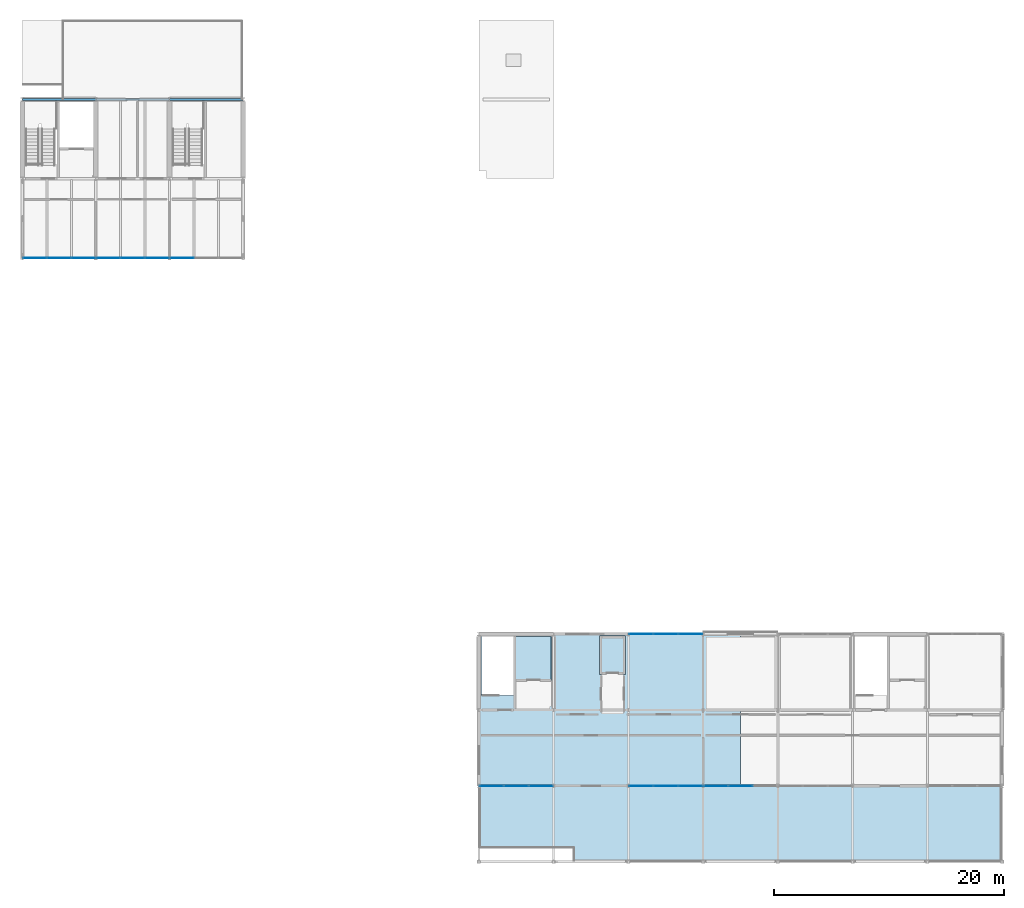
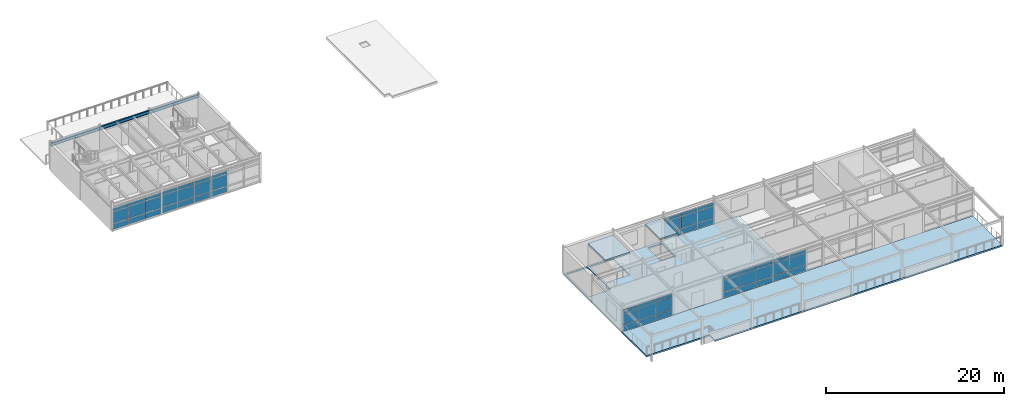
# One storey, part 11 of 20: 54 plates, 4 slabs, 3 beams, 7 elements without a shape of their own.
"""IFC4 building model written with IfcOpenShell, lengths in metres."""

from ifc_helpers import new_model, si_unit, direction, frame, origin, origin_2d, place, context, subcontext, project, spatial, polyline, rectangle, i_section, outline, extrude, material, layer, layer_set, material_profile, profile_set, type_object, element, aggregate, save


model = new_model("IFC4")

# Units and contexts
model_context = context("Model", 3, precision=1e-05, world=origin(), true_north=direction((0.0, 1.0)))
body_context = subcontext(model_context, "Body", "Model", "MODEL_VIEW")
ifc_project = project(units=[si_unit("LENGTHUNIT", "METRE"), si_unit("AREAUNIT", "SQUARE_METRE"), si_unit("VOLUMEUNIT", "CUBIC_METRE"), si_unit("PLANEANGLEUNIT", "RADIAN"), si_unit("MASSUNIT", "GRAM", prefix="KILO")], contexts=[model_context])

# Site, building, storey
site_placement = place(None, origin())
site = spatial("IfcSite", under=ifc_project, at=site_placement, CompositionType="ELEMENT")
building_placement = place(site_placement, origin())
building = spatial("IfcBuilding", under=site, at=building_placement, Name="Trelmorton Wharf Fire Station", CompositionType="ELEMENT")
storey_placement = place(building_placement, frame((0.0, 0.0, 21.300048828125)))
storey = spatial("IfcBuildingStorey", under=building, at=storey_placement, Name="L05", CompositionType="ELEMENT", Elevation=21.300048828125)

# Beams
ifc_material_1 = material(Name="Steel Grade 350", Category="steel")
ifc_material_profile = material_profile(ifc_material_1, i_section(OverallWidth=0.18994140625, OverallDepth=0.45703125, WebThickness=0.009033203125, FlangeThickness=0.014404296875, FilletRadius=0.011474609375, at=origin_2d()), Name="460UB74.6")
ifc_profile_set = profile_set([ifc_material_profile], Name="Steel Grade 350")
beam_type = type_object("IfcBeamType", Name="BM_460UB75", PredefinedType="BEAM", material=ifc_profile_set)
beam_1_placement = place(storey_placement, frame((70.803955078125, 74.10009765625, 3.4013671875), z_axis=(1.0, 0.0, 0.0), x_axis=(0.0, 1.0, 0.0)))
element("IfcBeam", 1, at=beam_1_placement, inside=storey, type_object=beam_type, Name="BM-L05-1158", PredefinedType="BEAM", context=body_context, shape_type="SweptSolid", body=[
    extrude(i_section(OverallWidth=0.18994140625, OverallDepth=0.45703125, WebThickness=0.009033203125, FlangeThickness=0.014404296875, FilletRadius=0.011474609375, at=origin_2d()), origin(), (0.0, 0.0, 1.0), 6.39208984375),
])
beam_2_placement = place(storey_placement, frame((77.2041015625, 74.10009765625, 3.4013671875), z_axis=(1.0, 0.0, 0.0), x_axis=(0.0, 1.0, 0.0)))
element("IfcBeam", 2, at=beam_2_placement, inside=storey, type_object=beam_type, Name="BM-L05-1159", PredefinedType="BEAM", context=body_context, shape_type="SweptSolid", body=[
    extrude(i_section(OverallWidth=0.18994140625, OverallDepth=0.45703125, WebThickness=0.009033203125, FlangeThickness=0.014404296875, FilletRadius=0.011474609375, at=origin_2d()), origin(), (0.0, 0.0, 1.0), 6.391845703125),
])
beam_3_placement = place(storey_placement, frame((83.60400390625, 74.10009765625, 3.4013671875), z_axis=(1.0, 0.0, 0.0), x_axis=(0.0, 1.0, 0.0)))
element("IfcBeam", 3, at=beam_3_placement, inside=storey, type_object=beam_type, Name="BM-L05-1160", PredefinedType="BEAM", context=body_context, shape_type="SweptSolid", body=[
    extrude(i_section(OverallWidth=0.18994140625, OverallDepth=0.45703125, WebThickness=0.009033203125, FlangeThickness=0.014404296875, FilletRadius=0.011474609375, at=origin_2d()), origin(), (0.0, 0.0, 1.0), 6.39208984375),
])

# Curtain wall, plates
ifc_material_2 = material(Name="Anodised aluminium AW-6063", Category="aluminium")
ifc_layer_1 = layer(ifc_material_2, 0.159912109375)
ifc_layer_set_1 = layer_set([ifc_layer_1], Name="Anodised aluminium AW-6063")
curtain_wall_type_1 = type_object("IfcCurtainWallType", Name="CW_CHIC_A", PredefinedType="USERDEFINED", material=ifc_layer_set_1)
curtain_wall_1_placement = place(storey_placement, origin())
curtain_wall_1 = element("IfcCurtainWall", 4, at=curtain_wall_1_placement, inside=storey, type_object=curtain_wall_type_1, Name="CW-V5-L05-082", ObjectType="CHICAGO BAY CURTAIN WALL", PredefinedType="USERDEFINED")
ifc_material_3 = material(Name="Tempered low-E double glazing", Category="glass")
ifc_layer_2 = layer(ifc_material_3, 0.028076171875)
ifc_layer_set_2 = layer_set([ifc_layer_2], Name="Tempered low-E double glazing")
plate_type_1 = type_object("IfcPlateType", Name="CWP_GLAZ_28", PredefinedType="CURTAIN_PANEL", material=ifc_layer_set_2)
plate_1_placement = place(storey_placement, frame((115.8984375, 14.39990234375, 0.06005859375), z_axis=(0.0, 0.0, 1.0), x_axis=(-1.0, 0.0, 0.0)))
plate_1 = element("IfcPlate", 5, at=plate_1_placement, type_object=plate_type_1, Name="CW1 panel 1.1", PredefinedType="CURTAIN_PANEL", context=body_context, shape_type="SweptSolid", body=[
    extrude(rectangle(XDim=2.0732421875, YDim=0.028076171875, at=origin_2d()), origin(), (0.0, 0.0, 1.0), 0.760009765625),
])
plate_2_placement = place(storey_placement, frame((115.8984375, 14.39990234375, 0.8798828125), z_axis=(0.0, 0.0, 1.0), x_axis=(-1.0, 0.0, 0.0)))
plate_2 = element("IfcPlate", 6, at=plate_2_placement, type_object=plate_type_1, Name="CW1 panel 1.2", PredefinedType="CURTAIN_PANEL", context=body_context, shape_type="SweptSolid", body=[
    extrude(rectangle(XDim=2.0732421875, YDim=0.028076171875, at=origin_2d()), origin(), (0.0, 0.0, 1.0), 1.610107421875),
])
plate_3_placement = place(storey_placement, frame((115.8984375, 14.39990234375, 2.5498046875), z_axis=(0.0, 0.0, 1.0), x_axis=(-1.0, 0.0, 0.0)))
plate_3 = element("IfcPlate", 7, at=plate_3_placement, type_object=plate_type_1, Name="CW1 panel 1.3", PredefinedType="CURTAIN_PANEL", context=body_context, shape_type="SweptSolid", body=[
    extrude(rectangle(XDim=2.0732421875, YDim=0.028076171875, at=origin_2d()), origin(), (0.0, 0.0, 1.0), 0.409912109375),
])
plate_4_placement = place(storey_placement, frame((113.75, 14.39990234375, 0.06005859375), z_axis=(0.0, 0.0, 1.0), x_axis=(-1.0, 0.0, 0.0)))
plate_4 = element("IfcPlate", 8, at=plate_4_placement, type_object=plate_type_1, Name="CW1 panel 2.1", PredefinedType="CURTAIN_PANEL", context=body_context, shape_type="SweptSolid", body=[
    extrude(rectangle(XDim=2.103271484375, YDim=0.028076171875, at=origin_2d()), origin(), (0.0, 0.0, 1.0), 0.760009765625),
])
plate_5_placement = place(storey_placement, frame((113.75, 14.39990234375, 0.8798828125), z_axis=(0.0, 0.0, 1.0), x_axis=(-1.0, 0.0, 0.0)))
plate_5 = element("IfcPlate", 9, at=plate_5_placement, type_object=plate_type_1, Name="CW1 panel 2.2", PredefinedType="CURTAIN_PANEL", context=body_context, shape_type="SweptSolid", body=[
    extrude(rectangle(XDim=2.103271484375, YDim=0.028076171875, at=origin_2d()), origin(), (0.0, 0.0, 1.0), 1.610107421875),
])
plate_6_placement = place(storey_placement, frame((113.75, 14.39990234375, 2.5498046875), z_axis=(0.0, 0.0, 1.0), x_axis=(-1.0, 0.0, 0.0)))
plate_6 = element("IfcPlate", 10, at=plate_6_placement, type_object=plate_type_1, Name="CW1 panel 2.3", PredefinedType="CURTAIN_PANEL", context=body_context, shape_type="SweptSolid", body=[
    extrude(rectangle(XDim=2.103271484375, YDim=0.028076171875, at=origin_2d()), origin(), (0.0, 0.0, 1.0), 0.409912109375),
])
plate_7_placement = place(storey_placement, frame((111.6015625, 14.39990234375, 0.06005859375), z_axis=(0.0, 0.0, 1.0), x_axis=(-1.0, 0.0, 0.0)))
plate_7 = element("IfcPlate", 11, at=plate_7_placement, type_object=plate_type_1, Name="CW1 panel 3.1", PredefinedType="CURTAIN_PANEL", context=body_context, shape_type="SweptSolid", body=[
    extrude(rectangle(XDim=2.0732421875, YDim=0.028076171875, at=origin_2d()), origin(), (0.0, 0.0, 1.0), 0.760009765625),
])
plate_8_placement = place(storey_placement, frame((111.6015625, 14.39990234375, 0.8798828125), z_axis=(0.0, 0.0, 1.0), x_axis=(-1.0, 0.0, 0.0)))
plate_8 = element("IfcPlate", 12, at=plate_8_placement, type_object=plate_type_1, Name="CW1 panel 3.2", PredefinedType="CURTAIN_PANEL", context=body_context, shape_type="SweptSolid", body=[
    extrude(rectangle(XDim=2.0732421875, YDim=0.028076171875, at=origin_2d()), origin(), (0.0, 0.0, 1.0), 1.610107421875),
])
plate_9_placement = place(storey_placement, frame((111.6015625, 14.39990234375, 2.5498046875), z_axis=(0.0, 0.0, 1.0), x_axis=(-1.0, 0.0, 0.0)))
plate_9 = element("IfcPlate", 13, at=plate_9_placement, type_object=plate_type_1, Name="CW1 panel 3.3", PredefinedType="CURTAIN_PANEL", context=body_context, shape_type="SweptSolid", body=[
    extrude(rectangle(XDim=2.0732421875, YDim=0.028076171875, at=origin_2d()), origin(), (0.0, 0.0, 1.0), 0.409912109375),
])
aggregate(curtain_wall_1, [plate_1, plate_2, plate_3, plate_4, plate_5, plate_6, plate_7, plate_8, plate_9])

curtain_wall_2_placement = place(storey_placement, origin())
curtain_wall_2 = element("IfcCurtainWall", 14, at=curtain_wall_2_placement, inside=storey, type_object=curtain_wall_type_1, Name="CW-V5-L05-083", ObjectType="CHICAGO BAY CURTAIN WALL", PredefinedType="USERDEFINED")
plate_10_placement = place(storey_placement, frame((128.8984375, 14.39990234375, 0.06005859375), z_axis=(0.0, 0.0, 1.0), x_axis=(-1.0, 0.0, 0.0)))
plate_10 = element("IfcPlate", 15, at=plate_10_placement, type_object=plate_type_1, Name="CW1 panel 1.1", PredefinedType="CURTAIN_PANEL", context=body_context, shape_type="SweptSolid", body=[
    extrude(rectangle(XDim=2.0732421875, YDim=0.028076171875, at=origin_2d()), origin(), (0.0, 0.0, 1.0), 0.760009765625),
])
plate_11_placement = place(storey_placement, frame((128.8984375, 14.39990234375, 0.8798828125), z_axis=(0.0, 0.0, 1.0), x_axis=(-1.0, 0.0, 0.0)))
plate_11 = element("IfcPlate", 16, at=plate_11_placement, type_object=plate_type_1, Name="CW1 panel 1.2", PredefinedType="CURTAIN_PANEL", context=body_context, shape_type="SweptSolid", body=[
    extrude(rectangle(XDim=2.0732421875, YDim=0.028076171875, at=origin_2d()), origin(), (0.0, 0.0, 1.0), 1.610107421875),
])
plate_12_placement = place(storey_placement, frame((128.8984375, 14.39990234375, 2.5498046875), z_axis=(0.0, 0.0, 1.0), x_axis=(-1.0, 0.0, 0.0)))
plate_12 = element("IfcPlate", 17, at=plate_12_placement, type_object=plate_type_1, Name="CW1 panel 1.3", PredefinedType="CURTAIN_PANEL", context=body_context, shape_type="SweptSolid", body=[
    extrude(rectangle(XDim=2.0732421875, YDim=0.028076171875, at=origin_2d()), origin(), (0.0, 0.0, 1.0), 0.409912109375),
])
plate_13_placement = place(storey_placement, frame((126.75, 14.39990234375, 0.06005859375), z_axis=(0.0, 0.0, 1.0), x_axis=(-1.0, 0.0, 0.0)))
plate_13 = element("IfcPlate", 18, at=plate_13_placement, type_object=plate_type_1, Name="CW1 panel 2.1", PredefinedType="CURTAIN_PANEL", context=body_context, shape_type="SweptSolid", body=[
    extrude(rectangle(XDim=2.103271484375, YDim=0.028076171875, at=origin_2d()), origin(), (0.0, 0.0, 1.0), 0.760009765625),
])
plate_14_placement = place(storey_placement, frame((126.75, 14.39990234375, 0.8798828125), z_axis=(0.0, 0.0, 1.0), x_axis=(-1.0, 0.0, 0.0)))
plate_14 = element("IfcPlate", 19, at=plate_14_placement, type_object=plate_type_1, Name="CW1 panel 2.2", PredefinedType="CURTAIN_PANEL", context=body_context, shape_type="SweptSolid", body=[
    extrude(rectangle(XDim=2.103271484375, YDim=0.028076171875, at=origin_2d()), origin(), (0.0, 0.0, 1.0), 1.610107421875),
])
plate_15_placement = place(storey_placement, frame((126.75, 14.39990234375, 2.5498046875), z_axis=(0.0, 0.0, 1.0), x_axis=(-1.0, 0.0, 0.0)))
plate_15 = element("IfcPlate", 20, at=plate_15_placement, type_object=plate_type_1, Name="CW1 panel 2.3", PredefinedType="CURTAIN_PANEL", context=body_context, shape_type="SweptSolid", body=[
    extrude(rectangle(XDim=2.103271484375, YDim=0.028076171875, at=origin_2d()), origin(), (0.0, 0.0, 1.0), 0.409912109375),
])
plate_16_placement = place(storey_placement, frame((124.6015625, 14.39990234375, 0.06005859375), z_axis=(0.0, 0.0, 1.0), x_axis=(-1.0, 0.0, 0.0)))
plate_16 = element("IfcPlate", 21, at=plate_16_placement, type_object=plate_type_1, Name="CW1 panel 3.1", PredefinedType="CURTAIN_PANEL", context=body_context, shape_type="SweptSolid", body=[
    extrude(rectangle(XDim=2.0732421875, YDim=0.028076171875, at=origin_2d()), origin(), (0.0, 0.0, 1.0), 0.760009765625),
])
plate_17_placement = place(storey_placement, frame((124.6015625, 14.39990234375, 0.8798828125), z_axis=(0.0, 0.0, 1.0), x_axis=(-1.0, 0.0, 0.0)))
plate_17 = element("IfcPlate", 22, at=plate_17_placement, type_object=plate_type_1, Name="CW1 panel 3.2", PredefinedType="CURTAIN_PANEL", context=body_context, shape_type="SweptSolid", body=[
    extrude(rectangle(XDim=2.0732421875, YDim=0.028076171875, at=origin_2d()), origin(), (0.0, 0.0, 1.0), 1.610107421875),
])
plate_18_placement = place(storey_placement, frame((124.6015625, 14.39990234375, 2.5498046875), z_axis=(0.0, 0.0, 1.0), x_axis=(-1.0, 0.0, 0.0)))
plate_18 = element("IfcPlate", 23, at=plate_18_placement, type_object=plate_type_1, Name="CW1 panel 3.3", PredefinedType="CURTAIN_PANEL", context=body_context, shape_type="SweptSolid", body=[
    extrude(rectangle(XDim=2.0732421875, YDim=0.028076171875, at=origin_2d()), origin(), (0.0, 0.0, 1.0), 0.409912109375),
])
aggregate(curtain_wall_2, [plate_10, plate_11, plate_12, plate_13, plate_14, plate_15, plate_16, plate_17, plate_18])

curtain_wall_3_placement = place(storey_placement, origin())
curtain_wall_3 = element("IfcCurtainWall", 24, at=curtain_wall_3_placement, inside=storey, type_object=curtain_wall_type_1, Name="CW-V2-L05-107", ObjectType="CHICAGO BAY CURTAIN WALL", PredefinedType="USERDEFINED")
plate_19_placement = place(storey_placement, frame((76.114990234375, 60.300048828125, 0.06005859375), z_axis=(0.0, 0.0, 1.0), x_axis=(-1.0, 0.0, 0.0)))
plate_19 = element("IfcPlate", 25, at=plate_19_placement, type_object=plate_type_1, Name="CW1 panel 1.1", PredefinedType="CURTAIN_PANEL", context=body_context, shape_type="SweptSolid", body=[
    extrude(rectangle(XDim=2.0400390625, YDim=0.028076171875, at=origin_2d()), origin(), (0.0, 0.0, 1.0), 0.760009765625),
])
plate_20_placement = place(storey_placement, frame((76.114990234375, 60.300048828125, 0.8798828125), z_axis=(0.0, 0.0, 1.0), x_axis=(-1.0, 0.0, 0.0)))
plate_20 = element("IfcPlate", 26, at=plate_20_placement, type_object=plate_type_1, Name="CW1 panel 1.2", PredefinedType="CURTAIN_PANEL", context=body_context, shape_type="SweptSolid", body=[
    extrude(rectangle(XDim=2.0400390625, YDim=0.028076171875, at=origin_2d()), origin(), (0.0, 0.0, 1.0), 1.610107421875),
])
plate_21_placement = place(storey_placement, frame((76.114990234375, 60.300048828125, 2.5498046875), z_axis=(0.0, 0.0, 1.0), x_axis=(-1.0, 0.0, 0.0)))
plate_21 = element("IfcPlate", 27, at=plate_21_placement, type_object=plate_type_1, Name="CW1 panel 1.3", PredefinedType="CURTAIN_PANEL", context=body_context, shape_type="SweptSolid", body=[
    extrude(rectangle(XDim=2.0400390625, YDim=0.028076171875, at=origin_2d()), origin(), (0.0, 0.0, 1.0), 0.409912109375),
])
plate_22_placement = place(storey_placement, frame((74.0, 60.300048828125, 0.06005859375), z_axis=(0.0, 0.0, 1.0), x_axis=(-1.0, 0.0, 0.0)))
plate_22 = element("IfcPlate", 28, at=plate_22_placement, type_object=plate_type_1, Name="CW1 panel 2.1", PredefinedType="CURTAIN_PANEL", context=body_context, shape_type="SweptSolid", body=[
    extrude(rectangle(XDim=2.070068359375, YDim=0.028076171875, at=origin_2d()), origin(), (0.0, 0.0, 1.0), 0.760009765625),
])
plate_23_placement = place(storey_placement, frame((74.0, 60.300048828125, 0.8798828125), z_axis=(0.0, 0.0, 1.0), x_axis=(-1.0, 0.0, 0.0)))
plate_23 = element("IfcPlate", 29, at=plate_23_placement, type_object=plate_type_1, Name="CW1 panel 2.2", PredefinedType="CURTAIN_PANEL", context=body_context, shape_type="SweptSolid", body=[
    extrude(rectangle(XDim=2.070068359375, YDim=0.028076171875, at=origin_2d()), origin(), (0.0, 0.0, 1.0), 1.610107421875),
])
plate_24_placement = place(storey_placement, frame((74.0, 60.300048828125, 2.5498046875), z_axis=(0.0, 0.0, 1.0), x_axis=(-1.0, 0.0, 0.0)))
plate_24 = element("IfcPlate", 30, at=plate_24_placement, type_object=plate_type_1, Name="CW1 panel 2.3", PredefinedType="CURTAIN_PANEL", context=body_context, shape_type="SweptSolid", body=[
    extrude(rectangle(XDim=2.070068359375, YDim=0.028076171875, at=origin_2d()), origin(), (0.0, 0.0, 1.0), 0.409912109375),
])
plate_25_placement = place(storey_placement, frame((71.885009765625, 60.300048828125, 0.06005859375), z_axis=(0.0, 0.0, 1.0), x_axis=(-1.0, 0.0, 0.0)))
plate_25 = element("IfcPlate", 31, at=plate_25_placement, type_object=plate_type_1, Name="CW1 panel 3.1", PredefinedType="CURTAIN_PANEL", context=body_context, shape_type="SweptSolid", body=[
    extrude(rectangle(XDim=2.0400390625, YDim=0.028076171875, at=origin_2d()), origin(), (0.0, 0.0, 1.0), 0.760009765625),
])
plate_26_placement = place(storey_placement, frame((71.885009765625, 60.300048828125, 0.8798828125), z_axis=(0.0, 0.0, 1.0), x_axis=(-1.0, 0.0, 0.0)))
plate_26 = element("IfcPlate", 32, at=plate_26_placement, type_object=plate_type_1, Name="CW1 panel 3.2", PredefinedType="CURTAIN_PANEL", context=body_context, shape_type="SweptSolid", body=[
    extrude(rectangle(XDim=2.0400390625, YDim=0.028076171875, at=origin_2d()), origin(), (0.0, 0.0, 1.0), 1.610107421875),
])
plate_27_placement = place(storey_placement, frame((71.885009765625, 60.300048828125, 2.5498046875), z_axis=(0.0, 0.0, 1.0), x_axis=(-1.0, 0.0, 0.0)))
plate_27 = element("IfcPlate", 33, at=plate_27_placement, type_object=plate_type_1, Name="CW1 panel 3.3", PredefinedType="CURTAIN_PANEL", context=body_context, shape_type="SweptSolid", body=[
    extrude(rectangle(XDim=2.0400390625, YDim=0.028076171875, at=origin_2d()), origin(), (0.0, 0.0, 1.0), 0.409912109375),
])
aggregate(curtain_wall_3, [plate_19, plate_20, plate_21, plate_22, plate_23, plate_24, plate_25, plate_26, plate_27])

curtain_wall_4_placement = place(storey_placement, origin())
curtain_wall_4 = element("IfcCurtainWall", 34, at=curtain_wall_4_placement, inside=storey, type_object=curtain_wall_type_1, Name="CW-V2-L05-109", ObjectType="CHICAGO BAY CURTAIN WALL", PredefinedType="USERDEFINED")
plate_28_placement = place(storey_placement, frame((84.68505859375, 60.300048828125, 0.06005859375), z_axis=(0.0, 0.0, 1.0), x_axis=(-1.0, 0.0, 0.0)))
plate_28 = element("IfcPlate", 35, at=plate_28_placement, type_object=plate_type_1, Name="CW1 panel 3.1", PredefinedType="CURTAIN_PANEL", context=body_context, shape_type="SweptSolid", body=[
    extrude(rectangle(XDim=2.0400390625, YDim=0.028076171875, at=origin_2d()), origin(), (0.0, 0.0, 1.0), 0.760009765625),
])
plate_29_placement = place(storey_placement, frame((84.68505859375, 60.300048828125, 0.8798828125), z_axis=(0.0, 0.0, 1.0), x_axis=(-1.0, 0.0, 0.0)))
plate_29 = element("IfcPlate", 36, at=plate_29_placement, type_object=plate_type_1, Name="CW1 panel 3.2", PredefinedType="CURTAIN_PANEL", context=body_context, shape_type="SweptSolid", body=[
    extrude(rectangle(XDim=2.0400390625, YDim=0.028076171875, at=origin_2d()), origin(), (0.0, 0.0, 1.0), 1.610107421875),
])
plate_30_placement = place(storey_placement, frame((84.68505859375, 60.300048828125, 2.5498046875), z_axis=(0.0, 0.0, 1.0), x_axis=(-1.0, 0.0, 0.0)))
plate_30 = element("IfcPlate", 37, at=plate_30_placement, type_object=plate_type_1, Name="CW1 panel 3.3", PredefinedType="CURTAIN_PANEL", context=body_context, shape_type="SweptSolid", body=[
    extrude(rectangle(XDim=2.0400390625, YDim=0.028076171875, at=origin_2d()), origin(), (0.0, 0.0, 1.0), 0.409912109375),
])
aggregate(curtain_wall_4, [plate_28, plate_29, plate_30])

ifc_layer_3 = layer(ifc_material_2, 0.14990234375)
ifc_layer_set_3 = layer_set([ifc_layer_3], Name="Anodised aluminium AW-6063")
curtain_wall_type_2 = type_object("IfcCurtainWallType", Name="CW_UNIT_A", PredefinedType="USERDEFINED", material=ifc_layer_set_3)
curtain_wall_5_placement = place(storey_placement, origin())
curtain_wall_5 = element("IfcCurtainWall", 38, at=curtain_wall_5_placement, inside=storey, type_object=curtain_wall_type_2, Name="CW-V5-L05-087", ObjectType="UNITISED CURTAIN WALL", PredefinedType="USERDEFINED")
ifc_layer_4 = layer(ifc_material_3, 0.028076171875)
ifc_layer_set_4 = layer_set([ifc_layer_4], Name="Tempered low-E double glazing")
plate_type_2 = type_object("IfcPlateType", Name="CWP_GLAZ_38", PredefinedType="CURTAIN_PANEL", material=ifc_layer_set_4)
plate_31_placement = place(storey_placement, frame((124.6015625, 27.60009765625, 0.06005859375), z_axis=(0.0, 0.0, 1.0), x_axis=(1.0, 0.0, 0.0)))
plate_31 = element("IfcPlate", 39, at=plate_31_placement, type_object=plate_type_2, Name="CW3 panel 1.1", PredefinedType="CURTAIN_PANEL", context=body_context, shape_type="SweptSolid", body=[
    extrude(rectangle(XDim=2.0732421875, YDim=0.028076171875, at=origin_2d()), origin(), (0.0, 0.0, 1.0), 0.760009765625),
])
plate_32_placement = place(storey_placement, frame((124.6015625, 27.60009765625, 0.8798828125), z_axis=(0.0, 0.0, 1.0), x_axis=(1.0, 0.0, 0.0)))
plate_32 = element("IfcPlate", 40, at=plate_32_placement, type_object=plate_type_2, Name="CW3 panel 1.2", PredefinedType="CURTAIN_PANEL", context=body_context, shape_type="SweptSolid", body=[
    extrude(rectangle(XDim=2.0732421875, YDim=0.028076171875, at=origin_2d()), origin(), (0.0, 0.0, 1.0), 1.610107421875),
])
plate_33_placement = place(storey_placement, frame((124.6015625, 27.60009765625, 2.5498046875), z_axis=(0.0, 0.0, 1.0), x_axis=(1.0, 0.0, 0.0)))
plate_33 = element("IfcPlate", 41, at=plate_33_placement, type_object=plate_type_2, Name="CW3 panel 1.3", PredefinedType="CURTAIN_PANEL", context=body_context, shape_type="SweptSolid", body=[
    extrude(rectangle(XDim=2.0732421875, YDim=0.028076171875, at=origin_2d()), origin(), (0.0, 0.0, 1.0), 0.409912109375),
])
plate_34_placement = place(storey_placement, frame((126.75, 27.60009765625, 0.06005859375), z_axis=(0.0, 0.0, 1.0), x_axis=(1.0, 0.0, 0.0)))
plate_34 = element("IfcPlate", 42, at=plate_34_placement, type_object=plate_type_2, Name="CW3 panel 2.1", PredefinedType="CURTAIN_PANEL", context=body_context, shape_type="SweptSolid", body=[
    extrude(rectangle(XDim=2.103271484375, YDim=0.028076171875, at=origin_2d()), origin(), (0.0, 0.0, 1.0), 0.760009765625),
])
plate_35_placement = place(storey_placement, frame((126.75, 27.60009765625, 0.8798828125), z_axis=(0.0, 0.0, 1.0), x_axis=(1.0, 0.0, 0.0)))
plate_35 = element("IfcPlate", 43, at=plate_35_placement, type_object=plate_type_2, Name="CW3 panel 2.2", PredefinedType="CURTAIN_PANEL", context=body_context, shape_type="SweptSolid", body=[
    extrude(rectangle(XDim=2.103271484375, YDim=0.028076171875, at=origin_2d()), origin(), (0.0, 0.0, 1.0), 1.610107421875),
])
plate_36_placement = place(storey_placement, frame((126.75, 27.60009765625, 2.5498046875), z_axis=(0.0, 0.0, 1.0), x_axis=(1.0, 0.0, 0.0)))
plate_36 = element("IfcPlate", 44, at=plate_36_placement, type_object=plate_type_2, Name="CW3 panel 2.3", PredefinedType="CURTAIN_PANEL", context=body_context, shape_type="SweptSolid", body=[
    extrude(rectangle(XDim=2.103271484375, YDim=0.028076171875, at=origin_2d()), origin(), (0.0, 0.0, 1.0), 0.409912109375),
])
plate_37_placement = place(storey_placement, frame((128.8984375, 27.60009765625, 0.06005859375), z_axis=(0.0, 0.0, 1.0), x_axis=(1.0, 0.0, 0.0)))
plate_37 = element("IfcPlate", 45, at=plate_37_placement, type_object=plate_type_2, Name="CW3 panel 3.1", PredefinedType="CURTAIN_PANEL", context=body_context, shape_type="SweptSolid", body=[
    extrude(rectangle(XDim=2.0732421875, YDim=0.028076171875, at=origin_2d()), origin(), (0.0, 0.0, 1.0), 0.760009765625),
])
plate_38_placement = place(storey_placement, frame((128.8984375, 27.60009765625, 0.8798828125), z_axis=(0.0, 0.0, 1.0), x_axis=(1.0, 0.0, 0.0)))
plate_38 = element("IfcPlate", 46, at=plate_38_placement, type_object=plate_type_2, Name="CW3 panel 3.2", PredefinedType="CURTAIN_PANEL", context=body_context, shape_type="SweptSolid", body=[
    extrude(rectangle(XDim=2.0732421875, YDim=0.028076171875, at=origin_2d()), origin(), (0.0, 0.0, 1.0), 1.610107421875),
])
plate_39_placement = place(storey_placement, frame((128.8984375, 27.60009765625, 2.5498046875), z_axis=(0.0, 0.0, 1.0), x_axis=(1.0, 0.0, 0.0)))
plate_39 = element("IfcPlate", 47, at=plate_39_placement, type_object=plate_type_2, Name="CW3 panel 3.3", PredefinedType="CURTAIN_PANEL", context=body_context, shape_type="SweptSolid", body=[
    extrude(rectangle(XDim=2.0732421875, YDim=0.028076171875, at=origin_2d()), origin(), (0.0, 0.0, 1.0), 0.409912109375),
])
aggregate(curtain_wall_5, [plate_31, plate_32, plate_33, plate_34, plate_35, plate_36, plate_37, plate_38, plate_39])

ifc_layer_5 = layer(ifc_material_2, 0.175048828125)
ifc_layer_set_5 = layer_set([ifc_layer_5], Name="Anodised aluminium AW-6063")
curtain_wall_type_3 = type_object("IfcCurtainWallType", Name="CW_CHIC_B", PredefinedType="USERDEFINED", material=ifc_layer_set_5)
curtain_wall_6_placement = place(storey_placement, origin())
curtain_wall_6 = element("IfcCurtainWall", 48, at=curtain_wall_6_placement, inside=storey, type_object=curtain_wall_type_3, Name="CW-V5-L05-084", ObjectType="CHICAGO BAY CURTAIN WALL", PredefinedType="USERDEFINED")
ifc_material_4 = material(Name="Ceramic-fritted spandrel glazing", Category="glass")
ifc_layer_6 = layer(ifc_material_4, 0.028076171875)
ifc_layer_set_6 = layer_set([ifc_layer_6], Name="Ceramic-fritted spandrel glazing")
plate_type_3 = type_object("IfcPlateType", Name="CWP_SPAN_48", PredefinedType="CURTAIN_PANEL", material=ifc_layer_set_6)
plate_40_placement = place(storey_placement, frame((133.25, 14.39990234375, 0.06005859375), z_axis=(0.0, 0.0, 1.0), x_axis=(-1.0, 0.0, 0.0)))
plate_40 = element("IfcPlate", 49, at=plate_40_placement, type_object=plate_type_3, Name="CW2 panel 2.1", PredefinedType="CURTAIN_PANEL", context=body_context, shape_type="SweptSolid", body=[
    extrude(rectangle(XDim=2.103271484375, YDim=0.028076171875, at=origin_2d()), origin(), (0.0, 0.0, 1.0), 0.760009765625),
])
plate_41_placement = place(storey_placement, frame((133.25, 14.39990234375, 0.8798828125), z_axis=(0.0, 0.0, 1.0), x_axis=(-1.0, 0.0, 0.0)))
plate_41 = element("IfcPlate", 50, at=plate_41_placement, type_object=plate_type_3, Name="CW2 panel 2.2", PredefinedType="CURTAIN_PANEL", context=body_context, shape_type="SweptSolid", body=[
    extrude(rectangle(XDim=2.103271484375, YDim=0.028076171875, at=origin_2d()), origin(), (0.0, 0.0, 1.0), 1.610107421875),
])
plate_42_placement = place(storey_placement, frame((133.25, 14.39990234375, 2.5498046875), z_axis=(0.0, 0.0, 1.0), x_axis=(-1.0, 0.0, 0.0)))
plate_42 = element("IfcPlate", 51, at=plate_42_placement, type_object=plate_type_3, Name="CW2 panel 2.3", PredefinedType="CURTAIN_PANEL", context=body_context, shape_type="SweptSolid", body=[
    extrude(rectangle(XDim=2.103271484375, YDim=0.028076171875, at=origin_2d()), origin(), (0.0, 0.0, 1.0), 0.409912109375),
])
plate_43_placement = place(storey_placement, frame((131.1015625, 14.39990234375, 0.06005859375), z_axis=(0.0, 0.0, 1.0), x_axis=(-1.0, 0.0, 0.0)))
plate_43 = element("IfcPlate", 52, at=plate_43_placement, type_object=plate_type_3, Name="CW2 panel 3.1", PredefinedType="CURTAIN_PANEL", context=body_context, shape_type="SweptSolid", body=[
    extrude(rectangle(XDim=2.0732421875, YDim=0.028076171875, at=origin_2d()), origin(), (0.0, 0.0, 1.0), 0.760009765625),
])
plate_44_placement = place(storey_placement, frame((131.1015625, 14.39990234375, 0.8798828125), z_axis=(0.0, 0.0, 1.0), x_axis=(-1.0, 0.0, 0.0)))
plate_44 = element("IfcPlate", 53, at=plate_44_placement, type_object=plate_type_3, Name="CW2 panel 3.2", PredefinedType="CURTAIN_PANEL", context=body_context, shape_type="SweptSolid", body=[
    extrude(rectangle(XDim=2.0732421875, YDim=0.028076171875, at=origin_2d()), origin(), (0.0, 0.0, 1.0), 1.610107421875),
])
plate_45_placement = place(storey_placement, frame((131.1015625, 14.39990234375, 2.5498046875), z_axis=(0.0, 0.0, 1.0), x_axis=(-1.0, 0.0, 0.0)))
plate_45 = element("IfcPlate", 54, at=plate_45_placement, type_object=plate_type_3, Name="CW2 panel 3.3", PredefinedType="CURTAIN_PANEL", context=body_context, shape_type="SweptSolid", body=[
    extrude(rectangle(XDim=2.0732421875, YDim=0.028076171875, at=origin_2d()), origin(), (0.0, 0.0, 1.0), 0.409912109375),
])
aggregate(curtain_wall_6, [plate_40, plate_41, plate_42, plate_43, plate_44, plate_45])

curtain_wall_7_placement = place(storey_placement, origin())
curtain_wall_7 = element("IfcCurtainWall", 55, at=curtain_wall_7_placement, inside=storey, type_object=curtain_wall_type_1, Name="CW-V2-L05-108", ObjectType="CHICAGO BAY CURTAIN WALL", PredefinedType="USERDEFINED")
plate_46_placement = place(storey_placement, frame((82.514892578125, 60.300048828125, 0.06005859375), z_axis=(0.0, 0.0, 1.0), x_axis=(-1.0, 0.0, 0.0)))
plate_46 = element("IfcPlate", 56, at=plate_46_placement, type_object=plate_type_3, Name="CW1 panel 1.1", PredefinedType="CURTAIN_PANEL", context=body_context, shape_type="SweptSolid", body=[
    extrude(rectangle(XDim=2.0400390625, YDim=0.028076171875, at=origin_2d()), origin(), (0.0, 0.0, 1.0), 0.760009765625),
])
plate_47_placement = place(storey_placement, frame((82.514892578125, 60.300048828125, 0.8798828125), z_axis=(0.0, 0.0, 1.0), x_axis=(-1.0, 0.0, 0.0)))
plate_47 = element("IfcPlate", 57, at=plate_47_placement, type_object=plate_type_3, Name="CW1 panel 1.2", PredefinedType="CURTAIN_PANEL", context=body_context, shape_type="SweptSolid", body=[
    extrude(rectangle(XDim=2.0400390625, YDim=0.028076171875, at=origin_2d()), origin(), (0.0, 0.0, 1.0), 1.610107421875),
])
plate_48_placement = place(storey_placement, frame((82.514892578125, 60.300048828125, 2.5498046875), z_axis=(0.0, 0.0, 1.0), x_axis=(-1.0, 0.0, 0.0)))
plate_48 = element("IfcPlate", 58, at=plate_48_placement, type_object=plate_type_3, Name="CW1 panel 1.3", PredefinedType="CURTAIN_PANEL", context=body_context, shape_type="SweptSolid", body=[
    extrude(rectangle(XDim=2.0400390625, YDim=0.028076171875, at=origin_2d()), origin(), (0.0, 0.0, 1.0), 0.409912109375),
])
plate_49_placement = place(storey_placement, frame((80.39990234375, 60.300048828125, 0.06005859375), z_axis=(0.0, 0.0, 1.0), x_axis=(-1.0, 0.0, 0.0)))
plate_49 = element("IfcPlate", 59, at=plate_49_placement, type_object=plate_type_3, Name="CW1 panel 2.1", PredefinedType="CURTAIN_PANEL", context=body_context, shape_type="SweptSolid", body=[
    extrude(rectangle(XDim=2.070068359375, YDim=0.028076171875, at=origin_2d()), origin(), (0.0, 0.0, 1.0), 0.760009765625),
])
plate_50_placement = place(storey_placement, frame((80.39990234375, 60.300048828125, 0.8798828125), z_axis=(0.0, 0.0, 1.0), x_axis=(-1.0, 0.0, 0.0)))
plate_50 = element("IfcPlate", 60, at=plate_50_placement, type_object=plate_type_3, Name="CW1 panel 2.2", PredefinedType="CURTAIN_PANEL", context=body_context, shape_type="SweptSolid", body=[
    extrude(rectangle(XDim=2.070068359375, YDim=0.028076171875, at=origin_2d()), origin(), (0.0, 0.0, 1.0), 1.610107421875),
])
plate_51_placement = place(storey_placement, frame((80.39990234375, 60.300048828125, 2.5498046875), z_axis=(0.0, 0.0, 1.0), x_axis=(-1.0, 0.0, 0.0)))
plate_51 = element("IfcPlate", 61, at=plate_51_placement, type_object=plate_type_3, Name="CW1 panel 2.3", PredefinedType="CURTAIN_PANEL", context=body_context, shape_type="SweptSolid", body=[
    extrude(rectangle(XDim=2.070068359375, YDim=0.028076171875, at=origin_2d()), origin(), (0.0, 0.0, 1.0), 0.409912109375),
])
plate_52_placement = place(storey_placement, frame((78.284912109375, 60.300048828125, 0.06005859375), z_axis=(0.0, 0.0, 1.0), x_axis=(-1.0, 0.0, 0.0)))
plate_52 = element("IfcPlate", 62, at=plate_52_placement, type_object=plate_type_3, Name="CW1 panel 3.1", PredefinedType="CURTAIN_PANEL", context=body_context, shape_type="SweptSolid", body=[
    extrude(rectangle(XDim=2.0400390625, YDim=0.028076171875, at=origin_2d()), origin(), (0.0, 0.0, 1.0), 0.760009765625),
])
plate_53_placement = place(storey_placement, frame((78.284912109375, 60.300048828125, 0.8798828125), z_axis=(0.0, 0.0, 1.0), x_axis=(-1.0, 0.0, 0.0)))
plate_53 = element("IfcPlate", 63, at=plate_53_placement, type_object=plate_type_3, Name="CW1 panel 3.2", PredefinedType="CURTAIN_PANEL", context=body_context, shape_type="SweptSolid", body=[
    extrude(rectangle(XDim=2.0400390625, YDim=0.028076171875, at=origin_2d()), origin(), (0.0, 0.0, 1.0), 1.610107421875),
])
plate_54_placement = place(storey_placement, frame((78.284912109375, 60.300048828125, 2.5498046875), z_axis=(0.0, 0.0, 1.0), x_axis=(-1.0, 0.0, 0.0)))
plate_54 = element("IfcPlate", 64, at=plate_54_placement, type_object=plate_type_3, Name="CW1 panel 3.3", PredefinedType="CURTAIN_PANEL", context=body_context, shape_type="SweptSolid", body=[
    extrude(rectangle(XDim=2.0400390625, YDim=0.028076171875, at=origin_2d()), origin(), (0.0, 0.0, 1.0), 0.409912109375),
])
aggregate(curtain_wall_7, [plate_46, plate_47, plate_48, plate_49, plate_50, plate_51, plate_52, plate_53, plate_54])

# Slabs
ifc_material_5 = material(Name="Concrete 40 MPa", Category="concrete")
ifc_layer_7 = layer(ifc_material_5, 0.199951171875)
ifc_layer_set_7 = layer_set([ifc_layer_7], Name="Concrete 40 MPa")
slab_type_1 = type_object("IfcSlabType", Name="SL_FLOOR_200", PredefinedType="FLOOR", material=ifc_layer_set_7)
slab_1_placement = place(storey_placement, frame((0.0, 0.0, -0.199951171875)))
element("IfcSlab", 65, at=slab_1_placement, inside=storey, type_object=slab_type_1, Name="SL-V5-L05-028", PredefinedType="FLOOR", context=body_context, shape_type="SweptSolid", body=[
    extrude(outline(polyline([(110.5, 27.60009765625), (133.25, 27.60009765625), (133.25, 14.39990234375), (110.5, 14.39990234375), (110.5, 27.60009765625)]), holes=[polyline([(110.719970703125, 27.3798828125), (110.719970703125, 22.239990234375), (113.510009765625, 22.239990234375), (113.510009765625, 27.3798828125), (110.719970703125, 27.3798828125)]), polyline([(116.780029296875, 27.3798828125), (113.739990234375, 27.3798828125), (113.739990234375, 23.719970703125), (116.780029296875, 23.719970703125), (116.780029296875, 27.3798828125)]), polyline([(123.02001953125, 24.31005859375), (123.02001953125, 27.22998046875), (121.219970703125, 27.22998046875), (121.219970703125, 24.31005859375), (123.02001953125, 24.31005859375)])]), origin(), (0.0, 0.0, 1.0), 0.199951171875),
])
slab_2_placement = place(storey_placement, frame((0.0, 0.0, 3.02001953125)))
element("IfcSlab", 66, at=slab_2_placement, inside=storey, type_object=slab_type_1, Name="SL-CAP-C3", PredefinedType="FLOOR", context=body_context, shape_type="SweptSolid", body=[
    extrude(outline(polyline([(113.56005859375, 23.5400390625), (116.794921875, 23.5400390625), (116.794921875, 27.39501953125), (113.56005859375, 27.39501953125), (113.56005859375, 23.5400390625)])), origin(), (0.0, 0.0, 1.0), 0.199951171875),
])
slab_3_placement = place(storey_placement, frame((0.0, 0.0, 3.02001953125)))
element("IfcSlab", 67, at=slab_3_placement, inside=storey, type_object=slab_type_1, Name="SL-CAP-LF3", PredefinedType="FLOOR", context=body_context, shape_type="SweptSolid", body=[
    extrude(outline(polyline([(121.0, 24.090087890625), (123.239990234375, 24.090087890625), (123.239990234375, 27.449951171875), (121.0, 27.449951171875), (121.0, 24.090087890625)])), origin(), (0.0, 0.0, 1.0), 0.199951171875),
])
ifc_layer_8 = layer(ifc_material_5, 0.2099609375)
ifc_layer_set_8 = layer_set([ifc_layer_8], Name="Concrete 40 MPa")
slab_type_2 = type_object("IfcSlabType", Name="SL_TERRACE_210", PredefinedType="FLOOR", material=ifc_layer_set_8)
slab_4_placement = place(storey_placement, frame((0.0, 0.0, -0.2099609375)))
element("IfcSlab", 68, at=slab_4_placement, inside=storey, type_object=slab_type_2, Name="SL-EXT-V5_HARBOUR_TERRACE_L05", PredefinedType="FLOOR", context=body_context, shape_type="SweptSolid", body=[
    extrude(outline(polyline([(110.5, 14.39990234375), (156.0, 14.39990234375), (156.0, 7.800048828125), (118.68994140625, 7.800048828125), (118.68994140625, 8.988037109375), (110.5, 8.988037109375), (110.5, 14.39990234375)])), origin(), (0.0, 0.0, 1.0), 0.2099609375),
])

save(model, "model.ifc")
